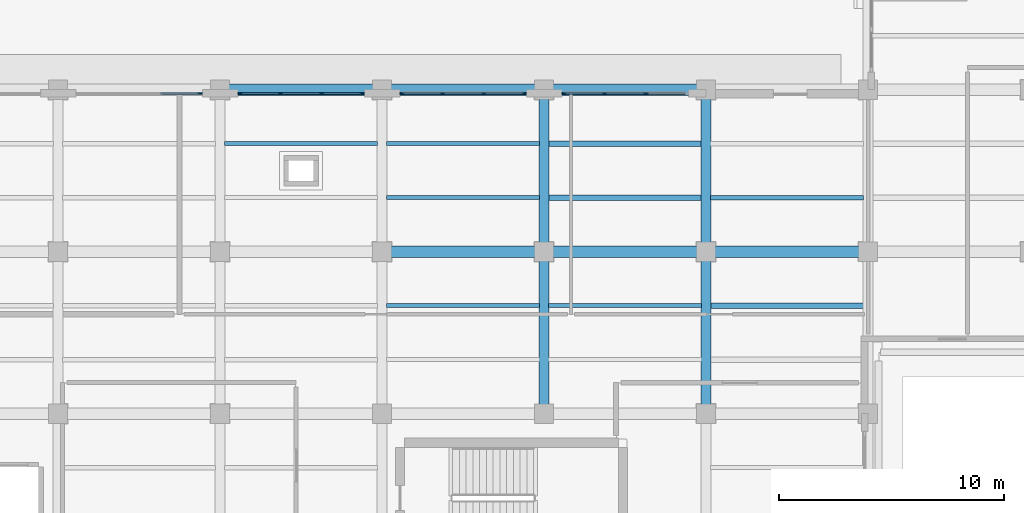
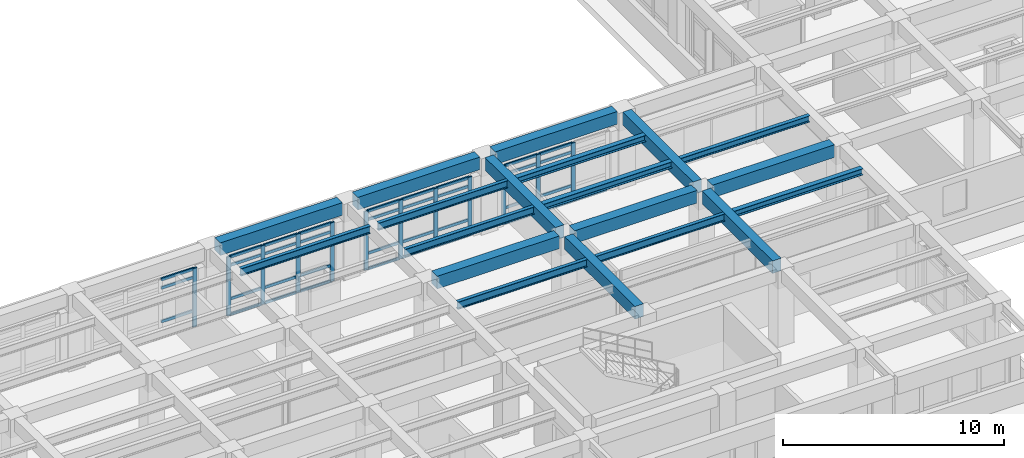
# One storey, part 44 of 98: 48 members, 19 beams, 4 elements without a shape of their own.
"""IFC4 building model written with IfcOpenShell, lengths in metres."""

from ifc_helpers import new_model, si_unit, direction, frame, origin, origin_2d, place, context, subcontext, project, spatial, rectangle, i_section, extrude, material, layer, layer_set, material_profile, profile_set, type_object, element, aggregate, save


model = new_model("IFC4")

# Units and contexts
model_context = context("Model", 3, precision=1e-05, world=origin(), true_north=direction((0.0, 1.0)))
body_context = subcontext(model_context, "Body", "Model", "MODEL_VIEW")
ifc_project = project(units=[si_unit("LENGTHUNIT", "METRE"), si_unit("AREAUNIT", "SQUARE_METRE"), si_unit("VOLUMEUNIT", "CUBIC_METRE"), si_unit("PLANEANGLEUNIT", "RADIAN"), si_unit("MASSUNIT", "GRAM", prefix="KILO")], contexts=[model_context])

# Site, building, storey
site_placement = place(None, origin())
site = spatial("IfcSite", under=ifc_project, at=site_placement, CompositionType="ELEMENT")
building_placement = place(site_placement, origin())
building = spatial("IfcBuilding", under=site, at=building_placement, Name="Solenvale Faculty of Natural Sciences", CompositionType="ELEMENT")
storey_placement = place(building_placement, frame((0.0, 0.0, 9.0)))
storey = spatial("IfcBuildingStorey", under=building, at=storey_placement, Name="L02", CompositionType="ELEMENT", Elevation=9.0)

# Beams
ifc_material_1 = material(Name="Concrete 40 MPa", Category="concrete")
ifc_material_profile_1 = material_profile(ifc_material_1, rectangle(XDim=0.449951171875, YDim=0.699951171875, at=origin_2d()), Name="RC-BM-450x700")
ifc_profile_set_1 = profile_set([ifc_material_profile_1], Name="Concrete 40 MPa")
beam_type_1 = type_object("IfcBeamType", Name="BM-RC-450x700", PredefinedType="BEAM", material=ifc_profile_set_1)
for number, where, z_axis, x_axis, name in (
    (1, (100.800048828125, 29.205078125, 3.8701171875), (0.0, 1.0, 0.0), (-1.0, 0.0, 0.0), "L02 Y-Girder X100.8 (28.8..36.0)"),
    (2, (100.800048828125, 36.405029296875, 3.8701171875), (0.0, 1.0, 0.0), (-1.0, 0.0, 0.0), "L02 Y-Girder X100.8 (36.0..43.2)"),
    (3, (108.0, 29.205078125, 3.8701171875), (0.0, 1.0, 0.0), (-1.0, 0.0, 0.0), "L02 Y-Girder X108.0 (28.8..36.0)"),
    (4, (108.0, 36.405029296875, 3.8701171875), (0.0, 1.0, 0.0), (-1.0, 0.0, 0.0), "L02 Y-Girder X108.0 (36.0..43.2)"),
):
    element("IfcBeam", number, at=place(storey_placement, frame(where, z_axis=z_axis, x_axis=x_axis)), inside=storey, type_object=beam_type_1, Name=name, PredefinedType="BEAM", context=body_context, shape_type="SweptSolid", body=[
        extrude(rectangle(XDim=0.449951171875, YDim=0.699951171875, at=origin_2d()), origin(), (0.0, 0.0, 1.0), 6.389892578125),
    ])
ifc_material_profile_2 = material_profile(ifc_material_1, rectangle(XDim=0.5, YDim=0.699951171875, at=origin_2d()), Name="RC-BM-500x700")
ifc_profile_set_2 = profile_set([ifc_material_profile_2], Name="Concrete 40 MPa")
beam_type_2 = type_object("IfcBeamType", Name="BM-RC-500x700", PredefinedType="BEAM", material=ifc_profile_set_2)
beam_1_placement = place(storey_placement, frame((94.0048828125, 36.0, 3.8701171875), z_axis=(1.0, 0.0, 0.0), x_axis=(0.0, 1.0, 0.0)))
element("IfcBeam", 5, at=beam_1_placement, inside=storey, type_object=beam_type_2, Name="L02 X-Girder Y36.0 (93.6..100.8)", PredefinedType="BEAM", context=body_context, shape_type="SweptSolid", body=[
    extrude(rectangle(XDim=0.5, YDim=0.699951171875, at=origin_2d()), origin(), (0.0, 0.0, 1.0), 6.39013671875),
])
for number, where, z_axis, x_axis, name in (
    (6, (101.205078125, 36.0, 3.8701171875), (1.0, 0.0, 0.0), (0.0, 1.0, 0.0), "L02 X-Girder Y36.0 (100.8..108.0)"),
    (7, (108.405029296875, 36.0, 3.8701171875), (1.0, 0.0, 0.0), (0.0, 1.0, 0.0), "L02 X-Girder Y36.0 (108.0..115.2)"),
):
    element("IfcBeam", number, at=place(storey_placement, frame(where, z_axis=z_axis, x_axis=x_axis)), inside=storey, type_object=beam_type_2, Name=name, PredefinedType="BEAM", context=body_context, shape_type="SweptSolid", body=[
        extrude(rectangle(XDim=0.5, YDim=0.699951171875, at=origin_2d()), origin(), (0.0, 0.0, 1.0), 6.389892578125),
    ])
for number, where, z_axis, x_axis, name in (
    (8, (86.804931640625, 43.199951171875, 3.8701171875), (1.0, 0.0, 0.0), (0.0, 1.0, 0.0), "L02 X-Girder Y43.2 (86.4..93.6)"),
    (9, (94.0048828125, 43.199951171875, 3.8701171875), (1.0, 0.0, 0.0), (0.0, 1.0, 0.0), "L02 X-Girder Y43.2 (93.6..100.8)"),
):
    element("IfcBeam", number, at=place(storey_placement, frame(where, z_axis=z_axis, x_axis=x_axis)), inside=storey, type_object=beam_type_2, Name=name, PredefinedType="BEAM", context=body_context, shape_type="SweptSolid", body=[
        extrude(rectangle(XDim=0.5, YDim=0.699951171875, at=origin_2d()), origin(), (0.0, 0.0, 1.0), 6.39013671875),
    ])
beam_2_placement = place(storey_placement, frame((101.205078125, 43.199951171875, 3.8701171875), z_axis=(1.0, 0.0, 0.0), x_axis=(0.0, 1.0, 0.0)))
element("IfcBeam", 10, at=beam_2_placement, inside=storey, type_object=beam_type_2, Name="L02 X-Girder Y43.2 (100.8..108.0)", PredefinedType="BEAM", context=body_context, shape_type="SweptSolid", body=[
    extrude(rectangle(XDim=0.5, YDim=0.699951171875, at=origin_2d()), origin(), (0.0, 0.0, 1.0), 6.389892578125),
])
ifc_material_2 = material(Name="Steel S355", Category="steel")
ifc_material_profile_3 = material_profile(ifc_material_2, i_section(OverallWidth=0.2548828125, OverallDepth=0.35693359375, WebThickness=0.010498046875, FlangeThickness=0.018310546875, FilletRadius=0.014892578125, at=origin_2d()), Name="W360x101")
ifc_profile_set_3 = profile_set([ifc_material_profile_3], Name="Steel S355")
beam_type_3 = type_object("IfcBeamType", Name="BM-STL-W360x101", PredefinedType="JOIST", material=ifc_profile_set_3)
for number, where, z_axis, x_axis, name in (
    (11, (101.0048828125, 38.39990234375, 4.04150390625), (1.0, 0.0, 0.0), (0.0, 1.0, 0.0), "L02 Composite Floor Joist (15,6).1"),
    (12, (101.0048828125, 40.800048828125, 4.04150390625), (1.0, 0.0, 0.0), (0.0, 1.0, 0.0), "L02 Composite Floor Joist (15,6).2"),
    (13, (108.205078125, 33.60009765625, 4.04150390625), (1.0, 0.0, 0.0), (0.0, 1.0, 0.0), "L02 Composite Floor Joist (16,5).2"),
):
    element("IfcBeam", number, at=place(storey_placement, frame(where, z_axis=z_axis, x_axis=x_axis)), inside=storey, type_object=beam_type_3, Name=name, PredefinedType="JOIST", context=body_context, shape_type="SweptSolid", body=[
        extrude(i_section(OverallWidth=0.2548828125, OverallDepth=0.35693359375, WebThickness=0.010498046875, FlangeThickness=0.018310546875, FilletRadius=0.014892578125, at=origin_2d()), origin(), (0.0, 0.0, 1.0), 6.7900390625),
    ])
ifc_material_profile_4 = material_profile(ifc_material_2, i_section(OverallWidth=0.2041015625, OverallDepth=0.35009765625, WebThickness=0.008544921875, FlangeThickness=0.01513671875, FilletRadius=0.014892578125, at=origin_2d()), Name="W360x72")
ifc_profile_set_4 = profile_set([ifc_material_profile_4], Name="Steel S355")
beam_type_4 = type_object("IfcBeamType", Name="BM-STL-W360x72", PredefinedType="JOIST", material=ifc_profile_set_4)
beam_3_placement = place(storey_placement, frame((108.205078125, 38.39990234375, 4.044921875), z_axis=(1.0, 0.0, 0.0), x_axis=(0.0, 1.0, 0.0)))
element("IfcBeam", 14, at=beam_3_placement, inside=storey, type_object=beam_type_4, Name="L02 Composite Floor Joist (16,6).1", PredefinedType="JOIST", context=body_context, shape_type="SweptSolid", body=[
    extrude(i_section(OverallWidth=0.2041015625, OverallDepth=0.35009765625, WebThickness=0.008544921875, FlangeThickness=0.01513671875, FilletRadius=0.014892578125, at=origin_2d()), origin(), (0.0, 0.0, 1.0), 6.7900390625),
])
ifc_material_profile_5 = material_profile(ifc_material_2, i_section(OverallWidth=0.178955078125, OverallDepth=0.409912109375, WebThickness=0.0087890625, FlangeThickness=0.014404296875, FilletRadius=0.01611328125, at=origin_2d()), Name="W410x67")
ifc_profile_set_5 = profile_set([ifc_material_profile_5], Name="Steel S355")
beam_type_5 = type_object("IfcBeamType", Name="BM-STL-W410x67", PredefinedType="JOIST", material=ifc_profile_set_5)
for number, where, z_axis, x_axis, name in (
    (15, (93.804931640625, 38.39990234375, 4.014892578125), (1.0, 0.0, 0.0), (0.0, 1.0, 0.0), "L02 Composite Floor Joist (14,6).1"),
    (16, (93.804931640625, 40.800048828125, 4.014892578125), (1.0, 0.0, 0.0), (0.0, 1.0, 0.0), "L02 Composite Floor Joist (14,6).2"),
    (17, (101.0048828125, 33.60009765625, 4.014892578125), (1.0, 0.0, 0.0), (0.0, 1.0, 0.0), "L02 Composite Floor Joist (15,5).2"),
):
    element("IfcBeam", number, at=place(storey_placement, frame(where, z_axis=z_axis, x_axis=x_axis)), inside=storey, type_object=beam_type_5, Name=name, PredefinedType="JOIST", context=body_context, shape_type="SweptSolid", body=[
        extrude(i_section(OverallWidth=0.178955078125, OverallDepth=0.409912109375, WebThickness=0.0087890625, FlangeThickness=0.014404296875, FilletRadius=0.01611328125, at=origin_2d()), origin(), (0.0, 0.0, 1.0), 6.7900390625),
    ])
ifc_material_profile_6 = material_profile(ifc_material_2, i_section(OverallWidth=0.180908203125, OverallDepth=0.4169921875, WebThickness=0.010986328125, FlangeThickness=0.018310546875, FilletRadius=0.01611328125, at=origin_2d()), Name="W410x85")
ifc_profile_set_6 = profile_set([ifc_material_profile_6], Name="Steel S355")
beam_type_6 = type_object("IfcBeamType", Name="BM-STL-W410x85", PredefinedType="JOIST", material=ifc_profile_set_6)
for number, where, z_axis, x_axis, name in (
    (18, (86.60498046875, 40.800048828125, 4.011474609375), (1.0, 0.0, 0.0), (0.0, 1.0, 0.0), "L02 Composite Floor Joist (13,6).2"),
    (19, (93.804931640625, 33.60009765625, 4.011474609375), (1.0, 0.0, 0.0), (0.0, 1.0, 0.0), "L02 Composite Floor Joist (14,5).2"),
):
    element("IfcBeam", number, at=place(storey_placement, frame(where, z_axis=z_axis, x_axis=x_axis)), inside=storey, type_object=beam_type_6, Name=name, PredefinedType="JOIST", context=body_context, shape_type="SweptSolid", body=[
        extrude(i_section(OverallWidth=0.180908203125, OverallDepth=0.4169921875, WebThickness=0.010986328125, FlangeThickness=0.018310546875, FilletRadius=0.01611328125, at=origin_2d()), origin(), (0.0, 0.0, 1.0), 6.7900390625),
    ])

# Curtain wall, members
ifc_material_3 = material(Name="Anodised bronze aluminium", Category="aluminium")
ifc_layer = layer(ifc_material_3, 0.18994140625)
ifc_layer_set = layer_set([ifc_layer], Name="Anodised bronze aluminium")
curtain_wall_type = type_object("IfcCurtainWallType", Name="CW-TRAY-REC", PredefinedType="USERDEFINED", material=ifc_layer_set)
curtain_wall_1_placement = place(storey_placement, origin())
curtain_wall_1 = element("IfcCurtainWall", 20, at=curtain_wall_1_placement, inside=storey, type_object=curtain_wall_type, Name="L02 Curtain Wall CW-L02-P1-E6-B2", ObjectType="UNITISED CURTAIN WALL", PredefinedType="USERDEFINED")
ifc_material_profile_7 = material_profile(ifc_material_3, rectangle(XDim=0.074951171875, YDim=0.2099609375, at=origin_2d()), Name="ALU-MUL-75x210")
ifc_profile_set_7 = profile_set([ifc_material_profile_7], Name="Anodised bronze aluminium")
member_type_1 = type_object("IfcMemberType", Name="CWM-ALU-75x210", PredefinedType="MULLION", material=ifc_profile_set_7)
member_1_placement = place(storey_placement, frame((105.316650390625, 43.03759765625, 0.0), z_axis=(0.0, 0.0, 1.0), x_axis=(0.0, -1.0, 0.0)))
member_1 = element("IfcMember", 21, at=member_1_placement, type_object=member_type_1, Name="CW-02 mullion 2", PredefinedType="MULLION", context=body_context, shape_type="SweptSolid", body=[
    extrude(rectangle(XDim=0.074951171875, YDim=0.2099609375, at=origin_2d()), origin(), (0.0, 0.0, 1.0), 3.260009765625),
])
member_2_placement = place(storey_placement, frame((103.4833984375, 43.03759765625, 0.0), z_axis=(0.0, 0.0, 1.0), x_axis=(0.0, -1.0, 0.0)))
member_2 = element("IfcMember", 22, at=member_2_placement, type_object=member_type_1, Name="CW-02 mullion 3", PredefinedType="MULLION", context=body_context, shape_type="SweptSolid", body=[
    extrude(rectangle(XDim=0.074951171875, YDim=0.2099609375, at=origin_2d()), origin(), (0.0, 0.0, 1.0), 3.260009765625),
])
member_3_placement = place(storey_placement, frame((101.6875, 43.03759765625, 0.0), z_axis=(0.0, 0.0, 1.0), x_axis=(0.0, -1.0, 0.0)))
member_3 = element("IfcMember", 23, at=member_3_placement, type_object=member_type_1, Name="CW-02 mullion 4", PredefinedType="MULLION", context=body_context, shape_type="SweptSolid", body=[
    extrude(rectangle(XDim=0.074951171875, YDim=0.2099609375, at=origin_2d()), origin(), (0.0, 0.0, 1.0), 3.260009765625),
])

curtain_wall_2_placement = place(storey_placement, origin())
curtain_wall_2 = element("IfcCurtainWall", 24, at=curtain_wall_2_placement, inside=storey, type_object=curtain_wall_type, Name="L02 Curtain Wall CW-L02-P1-E6-B3", ObjectType="UNITISED CURTAIN WALL", PredefinedType="USERDEFINED")
member_4_placement = place(storey_placement, frame((99.91259765625, 43.03759765625, 0.0), z_axis=(0.0, 0.0, 1.0), x_axis=(0.0, -1.0, 0.0)))
member_4 = element("IfcMember", 25, at=member_4_placement, type_object=member_type_1, Name="CW-02 mullion 1", PredefinedType="MULLION", context=body_context, shape_type="SweptSolid", body=[
    extrude(rectangle(XDim=0.074951171875, YDim=0.2099609375, at=origin_2d()), origin(), (0.0, 0.0, 1.0), 3.260009765625),
])
member_5_placement = place(storey_placement, frame((98.11669921875, 43.03759765625, 0.0), z_axis=(0.0, 0.0, 1.0), x_axis=(0.0, -1.0, 0.0)))
member_5 = element("IfcMember", 26, at=member_5_placement, type_object=member_type_1, Name="CW-02 mullion 2", PredefinedType="MULLION", context=body_context, shape_type="SweptSolid", body=[
    extrude(rectangle(XDim=0.074951171875, YDim=0.2099609375, at=origin_2d()), origin(), (0.0, 0.0, 1.0), 3.260009765625),
])
member_6_placement = place(storey_placement, frame((96.283447265625, 43.03759765625, 0.0), z_axis=(0.0, 0.0, 1.0), x_axis=(0.0, -1.0, 0.0)))
member_6 = element("IfcMember", 27, at=member_6_placement, type_object=member_type_1, Name="CW-02 mullion 3", PredefinedType="MULLION", context=body_context, shape_type="SweptSolid", body=[
    extrude(rectangle(XDim=0.074951171875, YDim=0.2099609375, at=origin_2d()), origin(), (0.0, 0.0, 1.0), 3.260009765625),
])
member_7_placement = place(storey_placement, frame((94.487548828125, 43.03759765625, 0.0), z_axis=(0.0, 0.0, 1.0), x_axis=(0.0, -1.0, 0.0)))
member_7 = element("IfcMember", 28, at=member_7_placement, type_object=member_type_1, Name="CW-02 mullion 4", PredefinedType="MULLION", context=body_context, shape_type="SweptSolid", body=[
    extrude(rectangle(XDim=0.074951171875, YDim=0.2099609375, at=origin_2d()), origin(), (0.0, 0.0, 1.0), 3.260009765625),
])

curtain_wall_3_placement = place(storey_placement, origin())
curtain_wall_3 = element("IfcCurtainWall", 29, at=curtain_wall_3_placement, inside=storey, type_object=curtain_wall_type, Name="L02 Curtain Wall CW-L02-P1-E6-B4", ObjectType="UNITISED CURTAIN WALL", PredefinedType="USERDEFINED")
member_8_placement = place(storey_placement, frame((92.71240234375, 43.03759765625, 0.0), z_axis=(0.0, 0.0, 1.0), x_axis=(0.0, -1.0, 0.0)))
member_8 = element("IfcMember", 30, at=member_8_placement, type_object=member_type_1, Name="CW-02 mullion 1", PredefinedType="MULLION", context=body_context, shape_type="SweptSolid", body=[
    extrude(rectangle(XDim=0.074951171875, YDim=0.2099609375, at=origin_2d()), origin(), (0.0, 0.0, 1.0), 3.260009765625),
])
member_9_placement = place(storey_placement, frame((90.916748046875, 43.03759765625, 0.0), z_axis=(0.0, 0.0, 1.0), x_axis=(0.0, -1.0, 0.0)))
member_9 = element("IfcMember", 31, at=member_9_placement, type_object=member_type_1, Name="CW-02 mullion 2", PredefinedType="MULLION", context=body_context, shape_type="SweptSolid", body=[
    extrude(rectangle(XDim=0.074951171875, YDim=0.2099609375, at=origin_2d()), origin(), (0.0, 0.0, 1.0), 3.260009765625),
])
member_10_placement = place(storey_placement, frame((89.083251953125, 43.03759765625, 0.0), z_axis=(0.0, 0.0, 1.0), x_axis=(0.0, -1.0, 0.0)))
member_10 = element("IfcMember", 32, at=member_10_placement, type_object=member_type_1, Name="CW-02 mullion 3", PredefinedType="MULLION", context=body_context, shape_type="SweptSolid", body=[
    extrude(rectangle(XDim=0.074951171875, YDim=0.2099609375, at=origin_2d()), origin(), (0.0, 0.0, 1.0), 3.260009765625),
])
member_11_placement = place(storey_placement, frame((87.28759765625, 43.03759765625, 0.0), z_axis=(0.0, 0.0, 1.0), x_axis=(0.0, -1.0, 0.0)))
member_11 = element("IfcMember", 33, at=member_11_placement, type_object=member_type_1, Name="CW-02 mullion 4", PredefinedType="MULLION", context=body_context, shape_type="SweptSolid", body=[
    extrude(rectangle(XDim=0.074951171875, YDim=0.2099609375, at=origin_2d()), origin(), (0.0, 0.0, 1.0), 3.260009765625),
])

# Curtain wall, member
curtain_wall_4_placement = place(storey_placement, origin())
curtain_wall_4 = element("IfcCurtainWall", 34, at=curtain_wall_4_placement, inside=storey, type_object=curtain_wall_type, Name="L02 Curtain Wall CW-L02-P1-E6-B5", ObjectType="UNITISED CURTAIN WALL", PredefinedType="USERDEFINED")
member_12_placement = place(storey_placement, frame((85.512451171875, 43.03759765625, 0.0), z_axis=(0.0, 0.0, 1.0), x_axis=(0.0, -1.0, 0.0)))
member_12 = element("IfcMember", 35, at=member_12_placement, type_object=member_type_1, Name="CW-02 mullion 1", PredefinedType="MULLION", context=body_context, shape_type="SweptSolid", body=[
    extrude(rectangle(XDim=0.074951171875, YDim=0.2099609375, at=origin_2d()), origin(), (0.0, 0.0, 1.0), 3.260009765625),
])

# Member
ifc_material_profile_8 = material_profile(ifc_material_3, rectangle(XDim=0.074951171875, YDim=0.155029296875, at=origin_2d()), Name="ALU-TRN-75x155")
ifc_profile_set_8 = profile_set([ifc_material_profile_8], Name="Anodised bronze aluminium")
member_type_2 = type_object("IfcMemberType", Name="CWT-ALU-75x155", PredefinedType="USERDEFINED", material=ifc_profile_set_8)
member_13_placement = place(storey_placement, frame((107.074951171875, 43.03759765625, 0.03759765625), z_axis=(-1.0, 0.0, 0.0), x_axis=(0.0, -1.0, 0.0)))
member_13 = element("IfcMember", 36, at=member_13_placement, type_object=member_type_2, Name="CW-02 transom 1.1", ObjectType="TRANSOM", PredefinedType="USERDEFINED", context=body_context, shape_type="SweptSolid", body=[
    extrude(rectangle(XDim=0.074951171875, YDim=0.155029296875, at=origin_2d()), origin(), (0.0, 0.0, 1.0), 1.720703125),
])

member_14_placement = place(storey_placement, frame((105.279052734375, 43.03759765625, 0.03759765625), z_axis=(-1.0, 0.0, 0.0), x_axis=(0.0, -1.0, 0.0)))
member_14 = element("IfcMember", 37, at=member_14_placement, type_object=member_type_2, Name="CW-02 transom 2.1", ObjectType="TRANSOM", PredefinedType="USERDEFINED", context=body_context, shape_type="SweptSolid", body=[
    extrude(rectangle(XDim=0.074951171875, YDim=0.155029296875, at=origin_2d()), origin(), (0.0, 0.0, 1.0), 1.75830078125),
])

member_15_placement = place(storey_placement, frame((105.279052734375, 43.03759765625, 0.89990234375), z_axis=(-1.0, 0.0, 0.0), x_axis=(0.0, -1.0, 0.0)))
member_15 = element("IfcMember", 38, at=member_15_placement, type_object=member_type_2, Name="CW-02 transom 2.2", ObjectType="TRANSOM", PredefinedType="USERDEFINED", context=body_context, shape_type="SweptSolid", body=[
    extrude(rectangle(XDim=0.074951171875, YDim=0.155029296875, at=origin_2d()), origin(), (0.0, 0.0, 1.0), 1.75830078125),
])

member_16_placement = place(storey_placement, frame((105.279052734375, 43.03759765625, 2.760009765625), z_axis=(-1.0, 0.0, 0.0), x_axis=(0.0, -1.0, 0.0)))
member_16 = element("IfcMember", 39, at=member_16_placement, type_object=member_type_2, Name="CW-02 transom 2.3", ObjectType="TRANSOM", PredefinedType="USERDEFINED", context=body_context, shape_type="SweptSolid", body=[
    extrude(rectangle(XDim=0.074951171875, YDim=0.155029296875, at=origin_2d()), origin(), (0.0, 0.0, 1.0), 1.75830078125),
])

member_17_placement = place(storey_placement, frame((105.279052734375, 43.03759765625, 3.222412109375), z_axis=(-1.0, 0.0, 0.0), x_axis=(0.0, -1.0, 0.0)))
member_17 = element("IfcMember", 40, at=member_17_placement, type_object=member_type_2, Name="CW-02 transom 2.4", ObjectType="TRANSOM", PredefinedType="USERDEFINED", context=body_context, shape_type="SweptSolid", body=[
    extrude(rectangle(XDim=0.074951171875, YDim=0.155029296875, at=origin_2d()), origin(), (0.0, 0.0, 1.0), 1.75830078125),
])

member_18_placement = place(storey_placement, frame((103.44580078125, 43.03759765625, 0.03759765625), z_axis=(-1.0, 0.0, 0.0), x_axis=(0.0, -1.0, 0.0)))
member_18 = element("IfcMember", 41, at=member_18_placement, type_object=member_type_2, Name="CW-02 transom 3.1", ObjectType="TRANSOM", PredefinedType="USERDEFINED", context=body_context, shape_type="SweptSolid", body=[
    extrude(rectangle(XDim=0.074951171875, YDim=0.155029296875, at=origin_2d()), origin(), (0.0, 0.0, 1.0), 1.720703125),
])

member_19_placement = place(storey_placement, frame((103.44580078125, 43.03759765625, 0.89990234375), z_axis=(-1.0, 0.0, 0.0), x_axis=(0.0, -1.0, 0.0)))
member_19 = element("IfcMember", 42, at=member_19_placement, type_object=member_type_2, Name="CW-02 transom 3.2", ObjectType="TRANSOM", PredefinedType="USERDEFINED", context=body_context, shape_type="SweptSolid", body=[
    extrude(rectangle(XDim=0.074951171875, YDim=0.155029296875, at=origin_2d()), origin(), (0.0, 0.0, 1.0), 1.720703125),
])

member_20_placement = place(storey_placement, frame((103.44580078125, 43.03759765625, 2.760009765625), z_axis=(-1.0, 0.0, 0.0), x_axis=(0.0, -1.0, 0.0)))
member_20 = element("IfcMember", 43, at=member_20_placement, type_object=member_type_2, Name="CW-02 transom 3.3", ObjectType="TRANSOM", PredefinedType="USERDEFINED", context=body_context, shape_type="SweptSolid", body=[
    extrude(rectangle(XDim=0.074951171875, YDim=0.155029296875, at=origin_2d()), origin(), (0.0, 0.0, 1.0), 1.720703125),
])

member_21_placement = place(storey_placement, frame((103.44580078125, 43.03759765625, 3.222412109375), z_axis=(-1.0, 0.0, 0.0), x_axis=(0.0, -1.0, 0.0)))
member_21 = element("IfcMember", 44, at=member_21_placement, type_object=member_type_2, Name="CW-02 transom 3.4", ObjectType="TRANSOM", PredefinedType="USERDEFINED", context=body_context, shape_type="SweptSolid", body=[
    extrude(rectangle(XDim=0.074951171875, YDim=0.155029296875, at=origin_2d()), origin(), (0.0, 0.0, 1.0), 1.720703125),
])

aggregate(curtain_wall_1, [member_1, member_2, member_3, member_13, member_14, member_15, member_16, member_17, member_18, member_19, member_20, member_21])

member_22_placement = place(storey_placement, frame((99.875, 43.03759765625, 0.03759765625), z_axis=(-1.0, 0.0, 0.0), x_axis=(0.0, -1.0, 0.0)))
member_22 = element("IfcMember", 45, at=member_22_placement, type_object=member_type_2, Name="CW-02 transom 1.1", ObjectType="TRANSOM", PredefinedType="USERDEFINED", context=body_context, shape_type="SweptSolid", body=[
    extrude(rectangle(XDim=0.074951171875, YDim=0.155029296875, at=origin_2d()), origin(), (0.0, 0.0, 1.0), 1.720947265625),
])

member_23_placement = place(storey_placement, frame((99.875, 43.03759765625, 0.89990234375), z_axis=(-1.0, 0.0, 0.0), x_axis=(0.0, -1.0, 0.0)))
member_23 = element("IfcMember", 46, at=member_23_placement, type_object=member_type_2, Name="CW-02 transom 1.2", ObjectType="TRANSOM", PredefinedType="USERDEFINED", context=body_context, shape_type="SweptSolid", body=[
    extrude(rectangle(XDim=0.074951171875, YDim=0.155029296875, at=origin_2d()), origin(), (0.0, 0.0, 1.0), 1.720947265625),
])

member_24_placement = place(storey_placement, frame((99.875, 43.03759765625, 2.760009765625), z_axis=(-1.0, 0.0, 0.0), x_axis=(0.0, -1.0, 0.0)))
member_24 = element("IfcMember", 47, at=member_24_placement, type_object=member_type_2, Name="CW-02 transom 1.3", ObjectType="TRANSOM", PredefinedType="USERDEFINED", context=body_context, shape_type="SweptSolid", body=[
    extrude(rectangle(XDim=0.074951171875, YDim=0.155029296875, at=origin_2d()), origin(), (0.0, 0.0, 1.0), 1.720947265625),
])

member_25_placement = place(storey_placement, frame((99.875, 43.03759765625, 3.222412109375), z_axis=(-1.0, 0.0, 0.0), x_axis=(0.0, -1.0, 0.0)))
member_25 = element("IfcMember", 48, at=member_25_placement, type_object=member_type_2, Name="CW-02 transom 1.4", ObjectType="TRANSOM", PredefinedType="USERDEFINED", context=body_context, shape_type="SweptSolid", body=[
    extrude(rectangle(XDim=0.074951171875, YDim=0.155029296875, at=origin_2d()), origin(), (0.0, 0.0, 1.0), 1.720947265625),
])

member_26_placement = place(storey_placement, frame((98.0791015625, 43.03759765625, 0.03759765625), z_axis=(-1.0, 0.0, 0.0), x_axis=(0.0, -1.0, 0.0)))
member_26 = element("IfcMember", 49, at=member_26_placement, type_object=member_type_2, Name="CW-02 transom 2.1", ObjectType="TRANSOM", PredefinedType="USERDEFINED", context=body_context, shape_type="SweptSolid", body=[
    extrude(rectangle(XDim=0.074951171875, YDim=0.155029296875, at=origin_2d()), origin(), (0.0, 0.0, 1.0), 1.75830078125),
])

member_27_placement = place(storey_placement, frame((98.0791015625, 43.03759765625, 0.89990234375), z_axis=(-1.0, 0.0, 0.0), x_axis=(0.0, -1.0, 0.0)))
member_27 = element("IfcMember", 50, at=member_27_placement, type_object=member_type_2, Name="CW-02 transom 2.2", ObjectType="TRANSOM", PredefinedType="USERDEFINED", context=body_context, shape_type="SweptSolid", body=[
    extrude(rectangle(XDim=0.074951171875, YDim=0.155029296875, at=origin_2d()), origin(), (0.0, 0.0, 1.0), 1.75830078125),
])

member_28_placement = place(storey_placement, frame((98.0791015625, 43.03759765625, 2.760009765625), z_axis=(-1.0, 0.0, 0.0), x_axis=(0.0, -1.0, 0.0)))
member_28 = element("IfcMember", 51, at=member_28_placement, type_object=member_type_2, Name="CW-02 transom 2.3", ObjectType="TRANSOM", PredefinedType="USERDEFINED", context=body_context, shape_type="SweptSolid", body=[
    extrude(rectangle(XDim=0.074951171875, YDim=0.155029296875, at=origin_2d()), origin(), (0.0, 0.0, 1.0), 1.75830078125),
])

member_29_placement = place(storey_placement, frame((98.0791015625, 43.03759765625, 3.222412109375), z_axis=(-1.0, 0.0, 0.0), x_axis=(0.0, -1.0, 0.0)))
member_29 = element("IfcMember", 52, at=member_29_placement, type_object=member_type_2, Name="CW-02 transom 2.4", ObjectType="TRANSOM", PredefinedType="USERDEFINED", context=body_context, shape_type="SweptSolid", body=[
    extrude(rectangle(XDim=0.074951171875, YDim=0.155029296875, at=origin_2d()), origin(), (0.0, 0.0, 1.0), 1.75830078125),
])

member_30_placement = place(storey_placement, frame((96.245849609375, 43.03759765625, 0.03759765625), z_axis=(-1.0, 0.0, 0.0), x_axis=(0.0, -1.0, 0.0)))
member_30 = element("IfcMember", 53, at=member_30_placement, type_object=member_type_2, Name="CW-02 transom 3.1", ObjectType="TRANSOM", PredefinedType="USERDEFINED", context=body_context, shape_type="SweptSolid", body=[
    extrude(rectangle(XDim=0.074951171875, YDim=0.155029296875, at=origin_2d()), origin(), (0.0, 0.0, 1.0), 1.720947265625),
])

member_31_placement = place(storey_placement, frame((96.245849609375, 43.03759765625, 0.89990234375), z_axis=(-1.0, 0.0, 0.0), x_axis=(0.0, -1.0, 0.0)))
member_31 = element("IfcMember", 54, at=member_31_placement, type_object=member_type_2, Name="CW-02 transom 3.2", ObjectType="TRANSOM", PredefinedType="USERDEFINED", context=body_context, shape_type="SweptSolid", body=[
    extrude(rectangle(XDim=0.074951171875, YDim=0.155029296875, at=origin_2d()), origin(), (0.0, 0.0, 1.0), 1.720947265625),
])

member_32_placement = place(storey_placement, frame((96.245849609375, 43.03759765625, 2.760009765625), z_axis=(-1.0, 0.0, 0.0), x_axis=(0.0, -1.0, 0.0)))
member_32 = element("IfcMember", 55, at=member_32_placement, type_object=member_type_2, Name="CW-02 transom 3.3", ObjectType="TRANSOM", PredefinedType="USERDEFINED", context=body_context, shape_type="SweptSolid", body=[
    extrude(rectangle(XDim=0.074951171875, YDim=0.155029296875, at=origin_2d()), origin(), (0.0, 0.0, 1.0), 1.720947265625),
])

member_33_placement = place(storey_placement, frame((96.245849609375, 43.03759765625, 3.222412109375), z_axis=(-1.0, 0.0, 0.0), x_axis=(0.0, -1.0, 0.0)))
member_33 = element("IfcMember", 56, at=member_33_placement, type_object=member_type_2, Name="CW-02 transom 3.4", ObjectType="TRANSOM", PredefinedType="USERDEFINED", context=body_context, shape_type="SweptSolid", body=[
    extrude(rectangle(XDim=0.074951171875, YDim=0.155029296875, at=origin_2d()), origin(), (0.0, 0.0, 1.0), 1.720947265625),
])

aggregate(curtain_wall_2, [member_4, member_5, member_6, member_7, member_22, member_23, member_24, member_25, member_26, member_27, member_28, member_29, member_30, member_31, member_32, member_33])

member_34_placement = place(storey_placement, frame((92.675048828125, 43.03759765625, 0.03759765625), z_axis=(-1.0, 0.0, 0.0), x_axis=(0.0, -1.0, 0.0)))
member_34 = element("IfcMember", 57, at=member_34_placement, type_object=member_type_2, Name="CW-02 transom 1.1", ObjectType="TRANSOM", PredefinedType="USERDEFINED", context=body_context, shape_type="SweptSolid", body=[
    extrude(rectangle(XDim=0.074951171875, YDim=0.155029296875, at=origin_2d()), origin(), (0.0, 0.0, 1.0), 1.720947265625),
])

member_35_placement = place(storey_placement, frame((92.675048828125, 43.03759765625, 0.89990234375), z_axis=(-1.0, 0.0, 0.0), x_axis=(0.0, -1.0, 0.0)))
member_35 = element("IfcMember", 58, at=member_35_placement, type_object=member_type_2, Name="CW-02 transom 1.2", ObjectType="TRANSOM", PredefinedType="USERDEFINED", context=body_context, shape_type="SweptSolid", body=[
    extrude(rectangle(XDim=0.074951171875, YDim=0.155029296875, at=origin_2d()), origin(), (0.0, 0.0, 1.0), 1.720947265625),
])

member_36_placement = place(storey_placement, frame((92.675048828125, 43.03759765625, 2.760009765625), z_axis=(-1.0, 0.0, 0.0), x_axis=(0.0, -1.0, 0.0)))
member_36 = element("IfcMember", 59, at=member_36_placement, type_object=member_type_2, Name="CW-02 transom 1.3", ObjectType="TRANSOM", PredefinedType="USERDEFINED", context=body_context, shape_type="SweptSolid", body=[
    extrude(rectangle(XDim=0.074951171875, YDim=0.155029296875, at=origin_2d()), origin(), (0.0, 0.0, 1.0), 1.720947265625),
])

member_37_placement = place(storey_placement, frame((92.675048828125, 43.03759765625, 3.222412109375), z_axis=(-1.0, 0.0, 0.0), x_axis=(0.0, -1.0, 0.0)))
member_37 = element("IfcMember", 60, at=member_37_placement, type_object=member_type_2, Name="CW-02 transom 1.4", ObjectType="TRANSOM", PredefinedType="USERDEFINED", context=body_context, shape_type="SweptSolid", body=[
    extrude(rectangle(XDim=0.074951171875, YDim=0.155029296875, at=origin_2d()), origin(), (0.0, 0.0, 1.0), 1.720947265625),
])

member_38_placement = place(storey_placement, frame((90.879150390625, 43.03759765625, 0.03759765625), z_axis=(-1.0, 0.0, 0.0), x_axis=(0.0, -1.0, 0.0)))
member_38 = element("IfcMember", 61, at=member_38_placement, type_object=member_type_2, Name="CW-02 transom 2.1", ObjectType="TRANSOM", PredefinedType="USERDEFINED", context=body_context, shape_type="SweptSolid", body=[
    extrude(rectangle(XDim=0.074951171875, YDim=0.155029296875, at=origin_2d()), origin(), (0.0, 0.0, 1.0), 1.75830078125),
])

member_39_placement = place(storey_placement, frame((90.879150390625, 43.03759765625, 0.89990234375), z_axis=(-1.0, 0.0, 0.0), x_axis=(0.0, -1.0, 0.0)))
member_39 = element("IfcMember", 62, at=member_39_placement, type_object=member_type_2, Name="CW-02 transom 2.2", ObjectType="TRANSOM", PredefinedType="USERDEFINED", context=body_context, shape_type="SweptSolid", body=[
    extrude(rectangle(XDim=0.074951171875, YDim=0.155029296875, at=origin_2d()), origin(), (0.0, 0.0, 1.0), 1.75830078125),
])

member_40_placement = place(storey_placement, frame((90.879150390625, 43.03759765625, 2.760009765625), z_axis=(-1.0, 0.0, 0.0), x_axis=(0.0, -1.0, 0.0)))
member_40 = element("IfcMember", 63, at=member_40_placement, type_object=member_type_2, Name="CW-02 transom 2.3", ObjectType="TRANSOM", PredefinedType="USERDEFINED", context=body_context, shape_type="SweptSolid", body=[
    extrude(rectangle(XDim=0.074951171875, YDim=0.155029296875, at=origin_2d()), origin(), (0.0, 0.0, 1.0), 1.75830078125),
])

member_41_placement = place(storey_placement, frame((90.879150390625, 43.03759765625, 3.222412109375), z_axis=(-1.0, 0.0, 0.0), x_axis=(0.0, -1.0, 0.0)))
member_41 = element("IfcMember", 64, at=member_41_placement, type_object=member_type_2, Name="CW-02 transom 2.4", ObjectType="TRANSOM", PredefinedType="USERDEFINED", context=body_context, shape_type="SweptSolid", body=[
    extrude(rectangle(XDim=0.074951171875, YDim=0.155029296875, at=origin_2d()), origin(), (0.0, 0.0, 1.0), 1.75830078125),
])

member_42_placement = place(storey_placement, frame((89.0458984375, 43.03759765625, 0.03759765625), z_axis=(-1.0, 0.0, 0.0), x_axis=(0.0, -1.0, 0.0)))
member_42 = element("IfcMember", 65, at=member_42_placement, type_object=member_type_2, Name="CW-02 transom 3.1", ObjectType="TRANSOM", PredefinedType="USERDEFINED", context=body_context, shape_type="SweptSolid", body=[
    extrude(rectangle(XDim=0.074951171875, YDim=0.155029296875, at=origin_2d()), origin(), (0.0, 0.0, 1.0), 1.720947265625),
])

member_43_placement = place(storey_placement, frame((89.0458984375, 43.03759765625, 0.89990234375), z_axis=(-1.0, 0.0, 0.0), x_axis=(0.0, -1.0, 0.0)))
member_43 = element("IfcMember", 66, at=member_43_placement, type_object=member_type_2, Name="CW-02 transom 3.2", ObjectType="TRANSOM", PredefinedType="USERDEFINED", context=body_context, shape_type="SweptSolid", body=[
    extrude(rectangle(XDim=0.074951171875, YDim=0.155029296875, at=origin_2d()), origin(), (0.0, 0.0, 1.0), 1.720947265625),
])

member_44_placement = place(storey_placement, frame((89.0458984375, 43.03759765625, 2.760009765625), z_axis=(-1.0, 0.0, 0.0), x_axis=(0.0, -1.0, 0.0)))
member_44 = element("IfcMember", 67, at=member_44_placement, type_object=member_type_2, Name="CW-02 transom 3.3", ObjectType="TRANSOM", PredefinedType="USERDEFINED", context=body_context, shape_type="SweptSolid", body=[
    extrude(rectangle(XDim=0.074951171875, YDim=0.155029296875, at=origin_2d()), origin(), (0.0, 0.0, 1.0), 1.720947265625),
])

member_45_placement = place(storey_placement, frame((89.0458984375, 43.03759765625, 3.222412109375), z_axis=(-1.0, 0.0, 0.0), x_axis=(0.0, -1.0, 0.0)))
member_45 = element("IfcMember", 68, at=member_45_placement, type_object=member_type_2, Name="CW-02 transom 3.4", ObjectType="TRANSOM", PredefinedType="USERDEFINED", context=body_context, shape_type="SweptSolid", body=[
    extrude(rectangle(XDim=0.074951171875, YDim=0.155029296875, at=origin_2d()), origin(), (0.0, 0.0, 1.0), 1.720947265625),
])

aggregate(curtain_wall_3, [member_8, member_9, member_10, member_11, member_34, member_35, member_36, member_37, member_38, member_39, member_40, member_41, member_42, member_43, member_44, member_45])

member_46_placement = place(storey_placement, frame((85.47509765625, 43.03759765625, 0.89990234375), z_axis=(-1.0, 0.0, 0.0), x_axis=(0.0, -1.0, 0.0)))
member_46 = element("IfcMember", 69, at=member_46_placement, type_object=member_type_2, Name="CW-02 transom 1.2", ObjectType="TRANSOM", PredefinedType="USERDEFINED", context=body_context, shape_type="SweptSolid", body=[
    extrude(rectangle(XDim=0.074951171875, YDim=0.155029296875, at=origin_2d()), origin(), (0.0, 0.0, 1.0), 1.720947265625),
])

member_47_placement = place(storey_placement, frame((85.47509765625, 43.03759765625, 2.760009765625), z_axis=(-1.0, 0.0, 0.0), x_axis=(0.0, -1.0, 0.0)))
member_47 = element("IfcMember", 70, at=member_47_placement, type_object=member_type_2, Name="CW-02 transom 1.3", ObjectType="TRANSOM", PredefinedType="USERDEFINED", context=body_context, shape_type="SweptSolid", body=[
    extrude(rectangle(XDim=0.074951171875, YDim=0.155029296875, at=origin_2d()), origin(), (0.0, 0.0, 1.0), 1.720947265625),
])

member_48_placement = place(storey_placement, frame((85.47509765625, 43.03759765625, 3.222412109375), z_axis=(-1.0, 0.0, 0.0), x_axis=(0.0, -1.0, 0.0)))
member_48 = element("IfcMember", 71, at=member_48_placement, type_object=member_type_2, Name="CW-02 transom 1.4", ObjectType="TRANSOM", PredefinedType="USERDEFINED", context=body_context, shape_type="SweptSolid", body=[
    extrude(rectangle(XDim=0.074951171875, YDim=0.155029296875, at=origin_2d()), origin(), (0.0, 0.0, 1.0), 1.720947265625),
])

aggregate(curtain_wall_4, [member_12, member_46, member_47, member_48])

save(model, "model.ifc")
